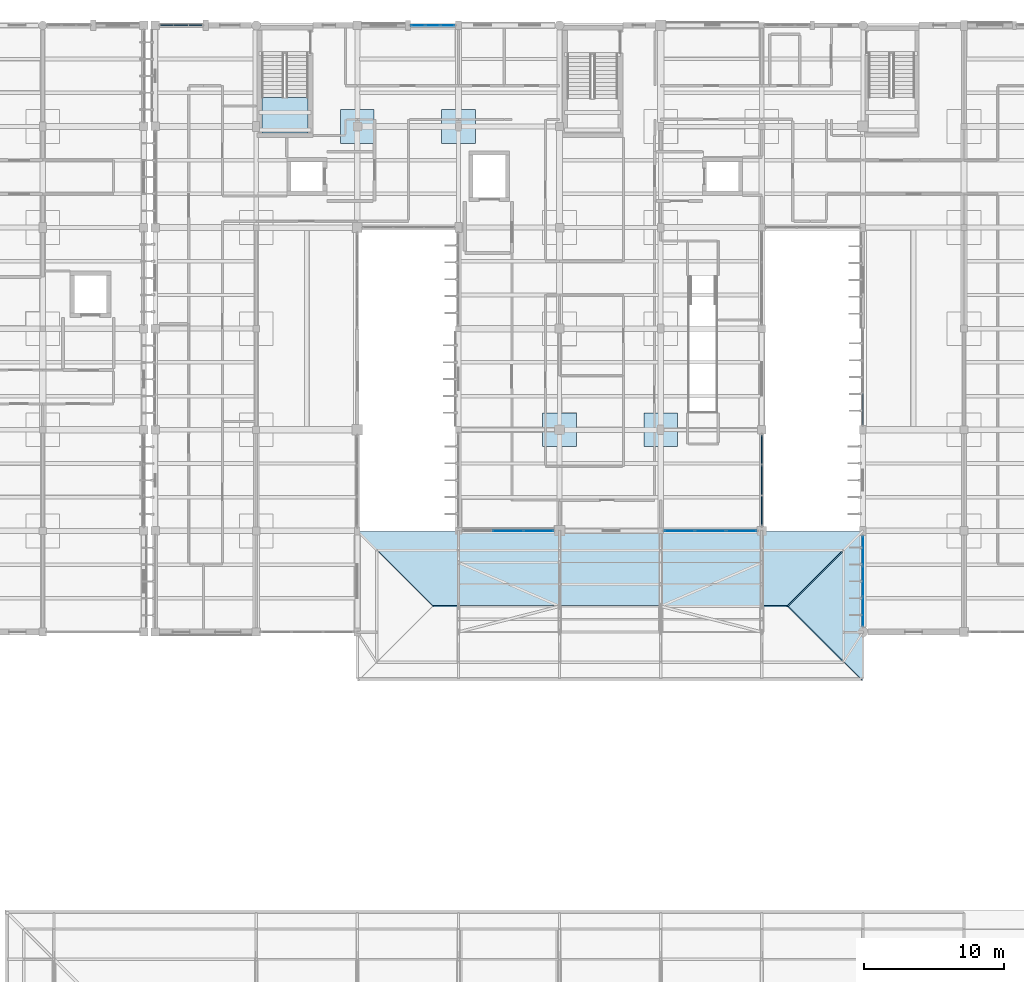
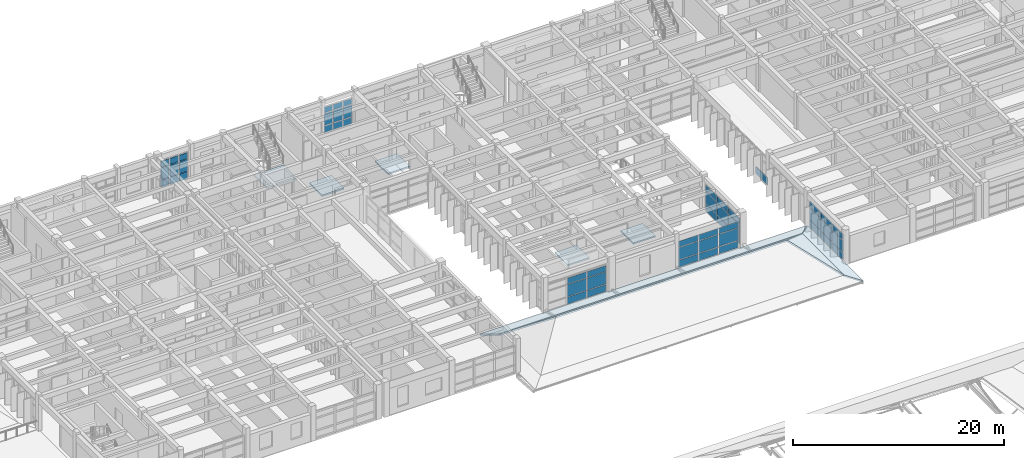
# One storey, part 52 of 100: 52 plates, 9 slabs, 9 elements without a shape of their own.
"""IFC4 building model written with IfcOpenShell, lengths in metres."""

from ifc_helpers import new_model, si_unit, direction, frame, origin, origin_2d, place, context, subcontext, project, spatial, polyline, rectangle, outline, extrude, material, layer, layer_set, type_object, element, aggregate, save


model = new_model("IFC4")

# Units and contexts
model_context = context("Model", 3, precision=1e-05, world=origin(), true_north=direction((0.0, 1.0)))
body_context = subcontext(model_context, "Body", "Model", "MODEL_VIEW")
ifc_project = project(units=[si_unit("LENGTHUNIT", "METRE"), si_unit("AREAUNIT", "SQUARE_METRE"), si_unit("VOLUMEUNIT", "CUBIC_METRE"), si_unit("PLANEANGLEUNIT", "RADIAN"), si_unit("MASSUNIT", "GRAM", prefix="KILO")], contexts=[model_context])

# Site, building, storey
site_placement = place(None, origin())
site = spatial("IfcSite", under=ifc_project, at=site_placement, CompositionType="ELEMENT")
building_placement = place(site_placement, origin())
building = spatial("IfcBuilding", under=site, at=building_placement, Name="Steenspoor Specialist Clinic", CompositionType="ELEMENT")
storey_placement = place(building_placement, frame((0.0, 0.0, 9.0)))
storey = spatial("IfcBuildingStorey", under=building, at=storey_placement, Name="L02", CompositionType="ELEMENT", Elevation=9.0)

# Curtain wall, plates
ifc_material_1 = material(Name="Thermally broken aluminium and low-emissivity glass", Category="aluminium")
curtain_wall_type_1 = type_object("IfcCurtainWallType", Name="CW-TYP-480X355", PredefinedType="USERDEFINED", material=ifc_material_1)
curtain_wall_1_placement = place(storey_placement, origin())
curtain_wall_1 = element("IfcCurtainWall", 1, at=curtain_wall_1_placement, inside=storey, type_object=curtain_wall_type_1, Name="Unitised Curtain Wall CW-V4-L02-084", ObjectType="UNITISED GLAZING", PredefinedType="USERDEFINED")
ifc_material_2 = material(Name="Double low-emissivity insulated glass", Category="glass")
ifc_layer_1 = layer(ifc_material_2, 0.035888671875)
ifc_layer_set_1 = layer_set([ifc_layer_1], Name="Double low-emissivity insulated glass")
plate_type_1 = type_object("IfcPlateType", Name="CW-PAN-GL36", PredefinedType="CURTAIN_PANEL", material=ifc_layer_set_1)
plate_1_placement = place(storey_placement, frame((71.124267578125, 108.35009765625, 0.08984375), z_axis=(0.0, 0.0, 1.0), x_axis=(1.0, 0.0, 0.0)))
plate_1 = element("IfcPlate", 2, at=plate_1_placement, type_object=plate_type_1, Name="CW-12 panel 1.1", PredefinedType="CURTAIN_PANEL", context=body_context, shape_type="SweptSolid", body=[
    extrude(rectangle(XDim=0.9482421875, YDim=0.035888671875, at=origin_2d()), origin(), (0.0, 0.0, 1.0), 0.764892578125),
])
plate_2_placement = place(storey_placement, frame((71.124267578125, 108.35009765625, 0.94482421875), z_axis=(0.0, 0.0, 1.0), x_axis=(1.0, 0.0, 0.0)))
plate_2 = element("IfcPlate", 3, at=plate_2_placement, type_object=plate_type_1, Name="CW-12 panel 1.2", PredefinedType="CURTAIN_PANEL", context=body_context, shape_type="SweptSolid", body=[
    extrude(rectangle(XDim=0.9482421875, YDim=0.035888671875, at=origin_2d()), origin(), (0.0, 0.0, 1.0), 1.360107421875),
])
plate_3_placement = place(storey_placement, frame((71.124267578125, 108.35009765625, 2.39501953125), z_axis=(0.0, 0.0, 1.0), x_axis=(1.0, 0.0, 0.0)))
plate_3 = element("IfcPlate", 4, at=plate_3_placement, type_object=plate_type_1, Name="CW-12 panel 1.3", PredefinedType="CURTAIN_PANEL", context=body_context, shape_type="SweptSolid", body=[
    extrude(rectangle(XDim=0.9482421875, YDim=0.035888671875, at=origin_2d()), origin(), (0.0, 0.0, 1.0), 0.64501953125),
])
plate_4_placement = place(storey_placement, frame((72.172607421875, 108.35009765625, 0.08984375), z_axis=(0.0, 0.0, 1.0), x_axis=(1.0, 0.0, 0.0)))
plate_4 = element("IfcPlate", 5, at=plate_4_placement, type_object=plate_type_1, Name="CW-12 panel 2.1", PredefinedType="CURTAIN_PANEL", context=body_context, shape_type="SweptSolid", body=[
    extrude(rectangle(XDim=0.98828125, YDim=0.035888671875, at=origin_2d()), origin(), (0.0, 0.0, 1.0), 0.764892578125),
])
plate_5_placement = place(storey_placement, frame((72.172607421875, 108.35009765625, 0.94482421875), z_axis=(0.0, 0.0, 1.0), x_axis=(1.0, 0.0, 0.0)))
plate_5 = element("IfcPlate", 6, at=plate_5_placement, type_object=plate_type_1, Name="CW-12 panel 2.2", PredefinedType="CURTAIN_PANEL", context=body_context, shape_type="SweptSolid", body=[
    extrude(rectangle(XDim=0.98828125, YDim=0.035888671875, at=origin_2d()), origin(), (0.0, 0.0, 1.0), 1.360107421875),
])
plate_6_placement = place(storey_placement, frame((72.172607421875, 108.35009765625, 2.39501953125), z_axis=(0.0, 0.0, 1.0), x_axis=(1.0, 0.0, 0.0)))
plate_6 = element("IfcPlate", 7, at=plate_6_placement, type_object=plate_type_1, Name="CW-12 panel 2.3", PredefinedType="CURTAIN_PANEL", context=body_context, shape_type="SweptSolid", body=[
    extrude(rectangle(XDim=0.98828125, YDim=0.035888671875, at=origin_2d()), origin(), (0.0, 0.0, 1.0), 0.64501953125),
])
plate_7_placement = place(storey_placement, frame((73.220947265625, 108.35009765625, 0.08984375), z_axis=(0.0, 0.0, 1.0), x_axis=(1.0, 0.0, 0.0)))
plate_7 = element("IfcPlate", 8, at=plate_7_placement, type_object=plate_type_1, Name="CW-12 panel 3.1", PredefinedType="CURTAIN_PANEL", context=body_context, shape_type="SweptSolid", body=[
    extrude(rectangle(XDim=0.9482421875, YDim=0.035888671875, at=origin_2d()), origin(), (0.0, 0.0, 1.0), 0.764892578125),
])
plate_8_placement = place(storey_placement, frame((73.220947265625, 108.35009765625, 0.94482421875), z_axis=(0.0, 0.0, 1.0), x_axis=(1.0, 0.0, 0.0)))
plate_8 = element("IfcPlate", 9, at=plate_8_placement, type_object=plate_type_1, Name="CW-12 panel 3.2", PredefinedType="CURTAIN_PANEL", context=body_context, shape_type="SweptSolid", body=[
    extrude(rectangle(XDim=0.9482421875, YDim=0.035888671875, at=origin_2d()), origin(), (0.0, 0.0, 1.0), 1.360107421875),
])
plate_9_placement = place(storey_placement, frame((73.220947265625, 108.35009765625, 2.39501953125), z_axis=(0.0, 0.0, 1.0), x_axis=(1.0, 0.0, 0.0)))
plate_9 = element("IfcPlate", 10, at=plate_9_placement, type_object=plate_type_1, Name="CW-12 panel 3.3", PredefinedType="CURTAIN_PANEL", context=body_context, shape_type="SweptSolid", body=[
    extrude(rectangle(XDim=0.9482421875, YDim=0.035888671875, at=origin_2d()), origin(), (0.0, 0.0, 1.0), 0.64501953125),
])
aggregate(curtain_wall_1, [plate_1, plate_2, plate_3, plate_4, plate_5, plate_6, plate_7, plate_8, plate_9])

curtain_wall_type_2 = type_object("IfcCurtainWallType", Name="CW-STR-220X415", PredefinedType="USERDEFINED", material=ifc_material_1)
curtain_wall_2_placement = place(storey_placement, origin())
curtain_wall_2 = element("IfcCurtainWall", 11, at=curtain_wall_2_placement, inside=storey, type_object=curtain_wall_type_2, Name="Unitised Curtain Wall CW-V4-L02-096", ObjectType="UNITISED GLAZING", PredefinedType="USERDEFINED")
plate_10_placement = place(storey_placement, frame((94.142578125, 72.35009765625, 0.070068359375), z_axis=(0.0, 0.0, 1.0), x_axis=(-1.0, 0.0, 0.0)))
plate_10 = element("IfcPlate", 12, at=plate_10_placement, type_object=plate_type_1, Name="CW-24 panel 1.1", PredefinedType="CURTAIN_PANEL", context=body_context, shape_type="SweptSolid", body=[
    extrude(rectangle(XDim=2.10498046875, YDim=0.035888671875, at=origin_2d()), origin(), (0.0, 0.0, 1.0), 0.794921875),
])
plate_11_placement = place(storey_placement, frame((94.142578125, 72.35009765625, 0.93505859375), z_axis=(0.0, 0.0, 1.0), x_axis=(-1.0, 0.0, 0.0)))
plate_11 = element("IfcPlate", 13, at=plate_11_placement, type_object=plate_type_1, Name="CW-24 panel 1.2", PredefinedType="CURTAIN_PANEL", context=body_context, shape_type="SweptSolid", body=[
    extrude(rectangle(XDim=2.10498046875, YDim=0.035888671875, at=origin_2d()), origin(), (0.0, 0.0, 1.0), 1.3798828125),
])
plate_12_placement = place(storey_placement, frame((94.142578125, 72.35009765625, 2.384765625), z_axis=(0.0, 0.0, 1.0), x_axis=(-1.0, 0.0, 0.0)))
plate_12 = element("IfcPlate", 14, at=plate_12_placement, type_object=plate_type_1, Name="CW-24 panel 1.3", PredefinedType="CURTAIN_PANEL", context=body_context, shape_type="SweptSolid", body=[
    extrude(rectangle(XDim=2.10498046875, YDim=0.035888671875, at=origin_2d()), origin(), (0.0, 0.0, 1.0), 0.675048828125),
])
plate_13_placement = place(storey_placement, frame((91.9375, 72.35009765625, 0.070068359375), z_axis=(0.0, 0.0, 1.0), x_axis=(-1.0, 0.0, 0.0)))
plate_13 = element("IfcPlate", 15, at=plate_13_placement, type_object=plate_type_1, Name="CW-24 panel 2.1", PredefinedType="CURTAIN_PANEL", context=body_context, shape_type="SweptSolid", body=[
    extrude(rectangle(XDim=2.14501953125, YDim=0.035888671875, at=origin_2d()), origin(), (0.0, 0.0, 1.0), 0.794921875),
])
plate_14_placement = place(storey_placement, frame((91.9375, 72.35009765625, 0.93505859375), z_axis=(0.0, 0.0, 1.0), x_axis=(-1.0, 0.0, 0.0)))
plate_14 = element("IfcPlate", 16, at=plate_14_placement, type_object=plate_type_1, Name="CW-24 panel 2.2", PredefinedType="CURTAIN_PANEL", context=body_context, shape_type="SweptSolid", body=[
    extrude(rectangle(XDim=2.14501953125, YDim=0.035888671875, at=origin_2d()), origin(), (0.0, 0.0, 1.0), 1.3798828125),
])
plate_15_placement = place(storey_placement, frame((91.9375, 72.35009765625, 2.384765625), z_axis=(0.0, 0.0, 1.0), x_axis=(-1.0, 0.0, 0.0)))
plate_15 = element("IfcPlate", 17, at=plate_15_placement, type_object=plate_type_1, Name="CW-24 panel 2.3", PredefinedType="CURTAIN_PANEL", context=body_context, shape_type="SweptSolid", body=[
    extrude(rectangle(XDim=2.14501953125, YDim=0.035888671875, at=origin_2d()), origin(), (0.0, 0.0, 1.0), 0.675048828125),
])
plate_16_placement = place(storey_placement, frame((89.732421875, 72.35009765625, 0.070068359375), z_axis=(0.0, 0.0, 1.0), x_axis=(-1.0, 0.0, 0.0)))
plate_16 = element("IfcPlate", 18, at=plate_16_placement, type_object=plate_type_1, Name="CW-24 panel 3.1", PredefinedType="CURTAIN_PANEL", context=body_context, shape_type="SweptSolid", body=[
    extrude(rectangle(XDim=2.10498046875, YDim=0.035888671875, at=origin_2d()), origin(), (0.0, 0.0, 1.0), 0.794921875),
])
plate_17_placement = place(storey_placement, frame((89.732421875, 72.35009765625, 0.93505859375), z_axis=(0.0, 0.0, 1.0), x_axis=(-1.0, 0.0, 0.0)))
plate_17 = element("IfcPlate", 19, at=plate_17_placement, type_object=plate_type_1, Name="CW-24 panel 3.2", PredefinedType="CURTAIN_PANEL", context=body_context, shape_type="SweptSolid", body=[
    extrude(rectangle(XDim=2.10498046875, YDim=0.035888671875, at=origin_2d()), origin(), (0.0, 0.0, 1.0), 1.3798828125),
])
plate_18_placement = place(storey_placement, frame((89.732421875, 72.35009765625, 2.384765625), z_axis=(0.0, 0.0, 1.0), x_axis=(-1.0, 0.0, 0.0)))
plate_18 = element("IfcPlate", 20, at=plate_18_placement, type_object=plate_type_1, Name="CW-24 panel 3.3", PredefinedType="CURTAIN_PANEL", context=body_context, shape_type="SweptSolid", body=[
    extrude(rectangle(XDim=2.10498046875, YDim=0.035888671875, at=origin_2d()), origin(), (0.0, 0.0, 1.0), 0.675048828125),
])
aggregate(curtain_wall_2, [plate_10, plate_11, plate_12, plate_13, plate_14, plate_15, plate_16, plate_17, plate_18])

curtain_wall_type_3 = type_object("IfcCurtainWallType", Name="CW-SCR-360X320", PredefinedType="USERDEFINED", material=ifc_material_1)
curtain_wall_3_placement = place(storey_placement, origin())
curtain_wall_3 = element("IfcCurtainWall", 21, at=curtain_wall_3_placement, inside=storey, type_object=curtain_wall_type_3, Name="Unitised Curtain Wall CW-V4-L02-091", ObjectType="UNITISED GLAZING", PredefinedType="USERDEFINED")
ifc_material_3 = material(Name="Triple acoustic laminated low-emissivity glass", Category="glass")
ifc_layer_2 = layer(ifc_material_3, 0.048095703125)
ifc_layer_set_2 = layer_set([ifc_layer_2], Name="Triple acoustic laminated low-emissivity glass")
plate_type_2 = type_object("IfcPlateType", Name="CW-PAN-GL48", PredefinedType="CURTAIN_PANEL", material=ifc_layer_set_2)
plate_19_placement = place(storey_placement, frame((102.800048828125, 66.607421875, 0.070068359375), z_axis=(0.0, 0.0, 1.0), x_axis=(0.0, 1.0, 0.0)))
plate_19 = element("IfcPlate", 22, at=plate_19_placement, type_object=plate_type_2, Name="CW-19 panel 1.1", PredefinedType="CURTAIN_PANEL", context=body_context, shape_type="SweptSolid", body=[
    extrude(rectangle(XDim=2.054931640625, YDim=0.048095703125, at=origin_2d()), origin(), (0.0, 0.0, 1.0), 0.794921875),
])
plate_20_placement = place(storey_placement, frame((102.800048828125, 66.607421875, 0.93505859375), z_axis=(0.0, 0.0, 1.0), x_axis=(0.0, 1.0, 0.0)))
plate_20 = element("IfcPlate", 23, at=plate_20_placement, type_object=plate_type_2, Name="CW-19 panel 1.2", PredefinedType="CURTAIN_PANEL", context=body_context, shape_type="SweptSolid", body=[
    extrude(rectangle(XDim=2.054931640625, YDim=0.048095703125, at=origin_2d()), origin(), (0.0, 0.0, 1.0), 1.3798828125),
])
plate_21_placement = place(storey_placement, frame((102.800048828125, 66.607421875, 2.384765625), z_axis=(0.0, 0.0, 1.0), x_axis=(0.0, 1.0, 0.0)))
plate_21 = element("IfcPlate", 24, at=plate_21_placement, type_object=plate_type_2, Name="CW-19 panel 1.3", PredefinedType="CURTAIN_PANEL", context=body_context, shape_type="SweptSolid", body=[
    extrude(rectangle(XDim=2.054931640625, YDim=0.048095703125, at=origin_2d()), origin(), (0.0, 0.0, 1.0), 0.675048828125),
])
plate_22_placement = place(storey_placement, frame((102.800048828125, 68.762451171875, 0.070068359375), z_axis=(0.0, 0.0, 1.0), x_axis=(0.0, 1.0, 0.0)))
plate_22 = element("IfcPlate", 25, at=plate_22_placement, type_object=plate_type_2, Name="CW-19 panel 2.1", PredefinedType="CURTAIN_PANEL", context=body_context, shape_type="SweptSolid", body=[
    extrude(rectangle(XDim=2.094970703125, YDim=0.048095703125, at=origin_2d()), origin(), (0.0, 0.0, 1.0), 0.794921875),
])
plate_23_placement = place(storey_placement, frame((102.800048828125, 68.762451171875, 0.93505859375), z_axis=(0.0, 0.0, 1.0), x_axis=(0.0, 1.0, 0.0)))
plate_23 = element("IfcPlate", 26, at=plate_23_placement, type_object=plate_type_2, Name="CW-19 panel 2.2", PredefinedType="CURTAIN_PANEL", context=body_context, shape_type="SweptSolid", body=[
    extrude(rectangle(XDim=2.094970703125, YDim=0.048095703125, at=origin_2d()), origin(), (0.0, 0.0, 1.0), 1.3798828125),
])
plate_24_placement = place(storey_placement, frame((102.800048828125, 68.762451171875, 2.384765625), z_axis=(0.0, 0.0, 1.0), x_axis=(0.0, 1.0, 0.0)))
plate_24 = element("IfcPlate", 27, at=plate_24_placement, type_object=plate_type_2, Name="CW-19 panel 2.3", PredefinedType="CURTAIN_PANEL", context=body_context, shape_type="SweptSolid", body=[
    extrude(rectangle(XDim=2.094970703125, YDim=0.048095703125, at=origin_2d()), origin(), (0.0, 0.0, 1.0), 0.675048828125),
])
plate_25_placement = place(storey_placement, frame((102.800048828125, 70.91748046875, 0.070068359375), z_axis=(0.0, 0.0, 1.0), x_axis=(0.0, 1.0, 0.0)))
plate_25 = element("IfcPlate", 28, at=plate_25_placement, type_object=plate_type_2, Name="CW-19 panel 3.1", PredefinedType="CURTAIN_PANEL", context=body_context, shape_type="SweptSolid", body=[
    extrude(rectangle(XDim=2.054931640625, YDim=0.048095703125, at=origin_2d()), origin(), (0.0, 0.0, 1.0), 0.794921875),
])
plate_26_placement = place(storey_placement, frame((102.800048828125, 70.91748046875, 0.93505859375), z_axis=(0.0, 0.0, 1.0), x_axis=(0.0, 1.0, 0.0)))
plate_26 = element("IfcPlate", 29, at=plate_26_placement, type_object=plate_type_2, Name="CW-19 panel 3.2", PredefinedType="CURTAIN_PANEL", context=body_context, shape_type="SweptSolid", body=[
    extrude(rectangle(XDim=2.054931640625, YDim=0.048095703125, at=origin_2d()), origin(), (0.0, 0.0, 1.0), 1.3798828125),
])
plate_27_placement = place(storey_placement, frame((102.800048828125, 70.91748046875, 2.384765625), z_axis=(0.0, 0.0, 1.0), x_axis=(0.0, 1.0, 0.0)))
plate_27 = element("IfcPlate", 30, at=plate_27_placement, type_object=plate_type_2, Name="CW-19 panel 3.3", PredefinedType="CURTAIN_PANEL", context=body_context, shape_type="SweptSolid", body=[
    extrude(rectangle(XDim=2.054931640625, YDim=0.048095703125, at=origin_2d()), origin(), (0.0, 0.0, 1.0), 0.675048828125),
])
aggregate(curtain_wall_3, [plate_19, plate_20, plate_21, plate_22, plate_23, plate_24, plate_25, plate_26, plate_27])

curtain_wall_type_4 = type_object("IfcCurtainWallType", Name="CW-HALL-660X820", PredefinedType="USERDEFINED", material=ifc_material_1)
curtain_wall_4_placement = place(storey_placement, origin())
curtain_wall_4 = element("IfcCurtainWall", 31, at=curtain_wall_4_placement, inside=storey, type_object=curtain_wall_type_4, Name="Unitised Curtain Wall CW-V4-L02-097", ObjectType="UNITISED GLAZING", PredefinedType="USERDEFINED")
plate_28_placement = place(storey_placement, frame((79.709228515625, 72.35009765625, 0.06494140625), z_axis=(0.0, 0.0, 1.0), x_axis=(-1.0, 0.0, 0.0)))
plate_28 = element("IfcPlate", 32, at=plate_28_placement, type_object=plate_type_2, Name="CW-01 panel 1.1", PredefinedType="CURTAIN_PANEL", context=body_context, shape_type="SweptSolid", body=[
    extrude(rectangle(XDim=2.07177734375, YDim=0.048095703125, at=origin_2d()), origin(), (0.0, 0.0, 1.0), 0.802490234375),
])
plate_29_placement = place(storey_placement, frame((79.709228515625, 72.35009765625, 0.9326171875), z_axis=(0.0, 0.0, 1.0), x_axis=(-1.0, 0.0, 0.0)))
plate_29 = element("IfcPlate", 33, at=plate_29_placement, type_object=plate_type_2, Name="CW-01 panel 1.2", PredefinedType="CURTAIN_PANEL", context=body_context, shape_type="SweptSolid", body=[
    extrude(rectangle(XDim=2.07177734375, YDim=0.048095703125, at=origin_2d()), origin(), (0.0, 0.0, 1.0), 1.385009765625),
])
plate_30_placement = place(storey_placement, frame((79.709228515625, 72.35009765625, 2.38232421875), z_axis=(0.0, 0.0, 1.0), x_axis=(-1.0, 0.0, 0.0)))
plate_30 = element("IfcPlate", 34, at=plate_30_placement, type_object=plate_type_2, Name="CW-01 panel 1.3", PredefinedType="CURTAIN_PANEL", context=body_context, shape_type="SweptSolid", body=[
    extrude(rectangle(XDim=2.07177734375, YDim=0.048095703125, at=origin_2d()), origin(), (0.0, 0.0, 1.0), 0.6826171875),
])
plate_31_placement = place(storey_placement, frame((77.53759765625, 72.35009765625, 0.06494140625), z_axis=(0.0, 0.0, 1.0), x_axis=(-1.0, 0.0, 0.0)))
plate_31 = element("IfcPlate", 35, at=plate_31_placement, type_object=plate_type_2, Name="CW-01 panel 2.1", PredefinedType="CURTAIN_PANEL", context=body_context, shape_type="SweptSolid", body=[
    extrude(rectangle(XDim=2.111572265625, YDim=0.048095703125, at=origin_2d()), origin(), (0.0, 0.0, 1.0), 0.802490234375),
])
plate_32_placement = place(storey_placement, frame((77.53759765625, 72.35009765625, 0.9326171875), z_axis=(0.0, 0.0, 1.0), x_axis=(-1.0, 0.0, 0.0)))
plate_32 = element("IfcPlate", 36, at=plate_32_placement, type_object=plate_type_2, Name="CW-01 panel 2.2", PredefinedType="CURTAIN_PANEL", context=body_context, shape_type="SweptSolid", body=[
    extrude(rectangle(XDim=2.111572265625, YDim=0.048095703125, at=origin_2d()), origin(), (0.0, 0.0, 1.0), 1.385009765625),
])
plate_33_placement = place(storey_placement, frame((77.53759765625, 72.35009765625, 2.38232421875), z_axis=(0.0, 0.0, 1.0), x_axis=(-1.0, 0.0, 0.0)))
plate_33 = element("IfcPlate", 37, at=plate_33_placement, type_object=plate_type_2, Name="CW-01 panel 2.3", PredefinedType="CURTAIN_PANEL", context=body_context, shape_type="SweptSolid", body=[
    extrude(rectangle(XDim=2.111572265625, YDim=0.048095703125, at=origin_2d()), origin(), (0.0, 0.0, 1.0), 0.6826171875),
])
aggregate(curtain_wall_4, [plate_28, plate_29, plate_30, plate_31, plate_32, plate_33])

curtain_wall_type_5 = type_object("IfcCurtainWallType", Name="CW-TYP-540X355", PredefinedType="USERDEFINED", material=ifc_material_1)
curtain_wall_5_placement = place(storey_placement, origin())
curtain_wall_5 = element("IfcCurtainWall", 38, at=curtain_wall_5_placement, inside=storey, type_object=curtain_wall_type_5, Name="Unitised Curtain Wall CW-V4-L02-083", ObjectType="UNITISED GLAZING", PredefinedType="USERDEFINED")
ifc_material_4 = material(Name="Insulated glazed ceramic spandrel panel", Category="glass")
ifc_layer_3 = layer(ifc_material_4, 0.074951171875)
ifc_layer_set_3 = layer_set([ifc_layer_3], Name="Insulated glazed ceramic spandrel panel")
plate_type_3 = type_object("IfcPlateType", Name="CW-PAN-SP75", PredefinedType="CURTAIN_PANEL", material=ifc_layer_set_3)
plate_34_placement = place(storey_placement, frame((53.24072265625, 108.35009765625, 0.06005859375), z_axis=(0.0, 0.0, 1.0), x_axis=(1.0, 0.0, 0.0)))
plate_34 = element("IfcPlate", 39, at=plate_34_placement, type_object=plate_type_3, Name="CW-11 panel 1.1", PredefinedType="CURTAIN_PANEL", context=body_context, shape_type="SweptSolid", body=[
    extrude(rectangle(XDim=0.901611328125, YDim=0.074951171875, at=origin_2d()), origin(), (0.0, 0.0, 1.0), 0.81005859375),
])
plate_35_placement = place(storey_placement, frame((53.24072265625, 108.35009765625, 0.93017578125), z_axis=(0.0, 0.0, 1.0), x_axis=(1.0, 0.0, 0.0)))
plate_35 = element("IfcPlate", 40, at=plate_35_placement, type_object=plate_type_3, Name="CW-11 panel 1.2", PredefinedType="CURTAIN_PANEL", context=body_context, shape_type="SweptSolid", body=[
    extrude(rectangle(XDim=0.901611328125, YDim=0.074951171875, at=origin_2d()), origin(), (0.0, 0.0, 1.0), 1.389892578125),
])
plate_36_placement = place(storey_placement, frame((53.24072265625, 108.35009765625, 2.380126953125), z_axis=(0.0, 0.0, 1.0), x_axis=(1.0, 0.0, 0.0)))
plate_36 = element("IfcPlate", 41, at=plate_36_placement, type_object=plate_type_3, Name="CW-11 panel 1.3", PredefinedType="CURTAIN_PANEL", context=body_context, shape_type="SweptSolid", body=[
    extrude(rectangle(XDim=0.901611328125, YDim=0.074951171875, at=origin_2d()), origin(), (0.0, 0.0, 1.0), 0.68994140625),
])
plate_37_placement = place(storey_placement, frame((54.2548828125, 108.35009765625, 0.06005859375), z_axis=(0.0, 0.0, 1.0), x_axis=(1.0, 0.0, 0.0)))
plate_37 = element("IfcPlate", 42, at=plate_37_placement, type_object=plate_type_3, Name="CW-11 panel 2.1", PredefinedType="CURTAIN_PANEL", context=body_context, shape_type="SweptSolid", body=[
    extrude(rectangle(XDim=0.94677734375, YDim=0.074951171875, at=origin_2d()), origin(), (0.0, 0.0, 1.0), 0.81005859375),
])
plate_38_placement = place(storey_placement, frame((54.2548828125, 108.35009765625, 0.93017578125), z_axis=(0.0, 0.0, 1.0), x_axis=(1.0, 0.0, 0.0)))
plate_38 = element("IfcPlate", 43, at=plate_38_placement, type_object=plate_type_3, Name="CW-11 panel 2.2", PredefinedType="CURTAIN_PANEL", context=body_context, shape_type="SweptSolid", body=[
    extrude(rectangle(XDim=0.94677734375, YDim=0.074951171875, at=origin_2d()), origin(), (0.0, 0.0, 1.0), 1.389892578125),
])
plate_39_placement = place(storey_placement, frame((54.2548828125, 108.35009765625, 2.380126953125), z_axis=(0.0, 0.0, 1.0), x_axis=(1.0, 0.0, 0.0)))
plate_39 = element("IfcPlate", 44, at=plate_39_placement, type_object=plate_type_3, Name="CW-11 panel 2.3", PredefinedType="CURTAIN_PANEL", context=body_context, shape_type="SweptSolid", body=[
    extrude(rectangle(XDim=0.94677734375, YDim=0.074951171875, at=origin_2d()), origin(), (0.0, 0.0, 1.0), 0.68994140625),
])
plate_40_placement = place(storey_placement, frame((55.269287109375, 108.35009765625, 0.06005859375), z_axis=(0.0, 0.0, 1.0), x_axis=(1.0, 0.0, 0.0)))
plate_40 = element("IfcPlate", 45, at=plate_40_placement, type_object=plate_type_3, Name="CW-11 panel 3.1", PredefinedType="CURTAIN_PANEL", context=body_context, shape_type="SweptSolid", body=[
    extrude(rectangle(XDim=0.901611328125, YDim=0.074951171875, at=origin_2d()), origin(), (0.0, 0.0, 1.0), 0.81005859375),
])
plate_41_placement = place(storey_placement, frame((55.269287109375, 108.35009765625, 0.93017578125), z_axis=(0.0, 0.0, 1.0), x_axis=(1.0, 0.0, 0.0)))
plate_41 = element("IfcPlate", 46, at=plate_41_placement, type_object=plate_type_3, Name="CW-11 panel 3.2", PredefinedType="CURTAIN_PANEL", context=body_context, shape_type="SweptSolid", body=[
    extrude(rectangle(XDim=0.901611328125, YDim=0.074951171875, at=origin_2d()), origin(), (0.0, 0.0, 1.0), 1.389892578125),
])
plate_42_placement = place(storey_placement, frame((55.269287109375, 108.35009765625, 2.380126953125), z_axis=(0.0, 0.0, 1.0), x_axis=(1.0, 0.0, 0.0)))
plate_42 = element("IfcPlate", 47, at=plate_42_placement, type_object=plate_type_3, Name="CW-11 panel 3.3", PredefinedType="CURTAIN_PANEL", context=body_context, shape_type="SweptSolid", body=[
    extrude(rectangle(XDim=0.901611328125, YDim=0.074951171875, at=origin_2d()), origin(), (0.0, 0.0, 1.0), 0.68994140625),
])
aggregate(curtain_wall_5, [plate_34, plate_35, plate_36, plate_37, plate_38, plate_39, plate_40, plate_41, plate_42])

# Curtain wall, plate
curtain_wall_type_6 = type_object("IfcCurtainWallType", Name="CW-WLK-640X340", PredefinedType="USERDEFINED", material=ifc_material_1)
curtain_wall_6_placement = place(storey_placement, origin())
curtain_wall_6 = element("IfcCurtainWall", 48, at=curtain_wall_6_placement, inside=storey, type_object=curtain_wall_type_6, Name="Unitised Curtain Wall CW-V4-L02-092", ObjectType="UNITISED GLAZING", PredefinedType="USERDEFINED")
plate_43_placement = place(storey_placement, frame((102.800048828125, 81.01953125, 0.06494140625), z_axis=(0.0, 0.0, 1.0), x_axis=(0.0, 1.0, 0.0)))
plate_43 = element("IfcPlate", 49, at=plate_43_placement, type_object=plate_type_3, Name="CW-20 panel 1.1", PredefinedType="CURTAIN_PANEL", context=body_context, shape_type="SweptSolid", body=[
    extrude(rectangle(XDim=2.19921875, YDim=0.074951171875, at=origin_2d()), origin(), (0.0, 0.0, 1.0), 0.802490234375),
])
aggregate(curtain_wall_6, [plate_43])

# Curtain wall, plates
curtain_wall_type_7 = type_object("IfcCurtainWallType", Name="CW-STR-220X355", PredefinedType="USERDEFINED", material=ifc_material_1)
curtain_wall_7_placement = place(storey_placement, origin())
curtain_wall_7 = element("IfcCurtainWall", 50, at=curtain_wall_7_placement, inside=storey, type_object=curtain_wall_type_7, Name="Unitised Curtain Wall CW-V4-L02-095", ObjectType="UNITISED GLAZING", PredefinedType="USERDEFINED")
plate_44_placement = place(storey_placement, frame((95.60009765625, 78.131591796875, 0.080078125), z_axis=(0.0, 0.0, 1.0), x_axis=(0.0, -1.0, 0.0)))
plate_44 = element("IfcPlate", 51, at=plate_44_placement, type_object=plate_type_3, Name="CW-23 panel 1.1", PredefinedType="CURTAIN_PANEL", context=body_context, shape_type="SweptSolid", body=[
    extrude(rectangle(XDim=2.056640625, YDim=0.074951171875, at=origin_2d()), origin(), (0.0, 0.0, 1.0), 0.780029296875),
])
plate_45_placement = place(storey_placement, frame((95.60009765625, 78.131591796875, 0.93994140625), z_axis=(0.0, 0.0, 1.0), x_axis=(0.0, -1.0, 0.0)))
plate_45 = element("IfcPlate", 52, at=plate_45_placement, type_object=plate_type_3, Name="CW-23 panel 1.2", PredefinedType="CURTAIN_PANEL", context=body_context, shape_type="SweptSolid", body=[
    extrude(rectangle(XDim=2.056640625, YDim=0.074951171875, at=origin_2d()), origin(), (0.0, 0.0, 1.0), 1.3701171875),
])
plate_46_placement = place(storey_placement, frame((95.60009765625, 78.131591796875, 2.39013671875), z_axis=(0.0, 0.0, 1.0), x_axis=(0.0, -1.0, 0.0)))
plate_46 = element("IfcPlate", 53, at=plate_46_placement, type_object=plate_type_3, Name="CW-23 panel 1.3", PredefinedType="CURTAIN_PANEL", context=body_context, shape_type="SweptSolid", body=[
    extrude(rectangle(XDim=2.056640625, YDim=0.074951171875, at=origin_2d()), origin(), (0.0, 0.0, 1.0), 0.659912109375),
])
plate_47_placement = place(storey_placement, frame((95.60009765625, 75.96240234375, 0.080078125), z_axis=(0.0, 0.0, 1.0), x_axis=(0.0, -1.0, 0.0)))
plate_47 = element("IfcPlate", 54, at=plate_47_placement, type_object=plate_type_3, Name="CW-23 panel 2.1", PredefinedType="CURTAIN_PANEL", context=body_context, shape_type="SweptSolid", body=[
    extrude(rectangle(XDim=2.1015625, YDim=0.074951171875, at=origin_2d()), origin(), (0.0, 0.0, 1.0), 0.780029296875),
])
plate_48_placement = place(storey_placement, frame((95.60009765625, 75.96240234375, 0.93994140625), z_axis=(0.0, 0.0, 1.0), x_axis=(0.0, -1.0, 0.0)))
plate_48 = element("IfcPlate", 55, at=plate_48_placement, type_object=plate_type_3, Name="CW-23 panel 2.2", PredefinedType="CURTAIN_PANEL", context=body_context, shape_type="SweptSolid", body=[
    extrude(rectangle(XDim=2.1015625, YDim=0.074951171875, at=origin_2d()), origin(), (0.0, 0.0, 1.0), 1.3701171875),
])
plate_49_placement = place(storey_placement, frame((95.60009765625, 75.96240234375, 2.39013671875), z_axis=(0.0, 0.0, 1.0), x_axis=(0.0, -1.0, 0.0)))
plate_49 = element("IfcPlate", 56, at=plate_49_placement, type_object=plate_type_3, Name="CW-23 panel 2.3", PredefinedType="CURTAIN_PANEL", context=body_context, shape_type="SweptSolid", body=[
    extrude(rectangle(XDim=2.1015625, YDim=0.074951171875, at=origin_2d()), origin(), (0.0, 0.0, 1.0), 0.659912109375),
])
plate_50_placement = place(storey_placement, frame((95.60009765625, 73.793212890625, 0.080078125), z_axis=(0.0, 0.0, 1.0), x_axis=(0.0, -1.0, 0.0)))
plate_50 = element("IfcPlate", 57, at=plate_50_placement, type_object=plate_type_3, Name="CW-23 panel 3.1", PredefinedType="CURTAIN_PANEL", context=body_context, shape_type="SweptSolid", body=[
    extrude(rectangle(XDim=2.056640625, YDim=0.074951171875, at=origin_2d()), origin(), (0.0, 0.0, 1.0), 0.780029296875),
])
plate_51_placement = place(storey_placement, frame((95.60009765625, 73.793212890625, 0.93994140625), z_axis=(0.0, 0.0, 1.0), x_axis=(0.0, -1.0, 0.0)))
plate_51 = element("IfcPlate", 58, at=plate_51_placement, type_object=plate_type_3, Name="CW-23 panel 3.2", PredefinedType="CURTAIN_PANEL", context=body_context, shape_type="SweptSolid", body=[
    extrude(rectangle(XDim=2.056640625, YDim=0.074951171875, at=origin_2d()), origin(), (0.0, 0.0, 1.0), 1.3701171875),
])
plate_52_placement = place(storey_placement, frame((95.60009765625, 73.793212890625, 2.39013671875), z_axis=(0.0, 0.0, 1.0), x_axis=(0.0, -1.0, 0.0)))
plate_52 = element("IfcPlate", 59, at=plate_52_placement, type_object=plate_type_3, Name="CW-23 panel 3.3", PredefinedType="CURTAIN_PANEL", context=body_context, shape_type="SweptSolid", body=[
    extrude(rectangle(XDim=2.056640625, YDim=0.074951171875, at=origin_2d()), origin(), (0.0, 0.0, 1.0), 0.659912109375),
])
aggregate(curtain_wall_7, [plate_44, plate_45, plate_46, plate_47, plate_48, plate_49, plate_50, plate_51, plate_52])

# Slabs
ifc_material_5 = material(Name="Concrete C35/45", Category="concrete")
ifc_layer_4 = layer(ifc_material_5, 0.169921875)
ifc_layer_set_4 = layer_set([ifc_layer_4], Name="Concrete C35/45")
slab_type_1 = type_object("IfcSlabType", Name="SL-DROP-170", PredefinedType="USERDEFINED", material=ifc_layer_set_4)
slab_1_placement = place(storey_placement, frame((0.0, 0.0, -0.419921875)))
element("IfcSlab", 60, at=slab_1_placement, inside=storey, type_object=slab_type_1, Name="Column Drop Panel DROP-V4-L02-040", ObjectType="DROP PANEL", PredefinedType="USERDEFINED", context=body_context, shape_type="SweptSolid", body=[
    extrude(outline(polyline([(68.0, 99.949951171875), (68.0, 102.35009765625), (65.60009765625, 102.35009765625), (65.60009765625, 99.949951171875), (68.0, 99.949951171875)])), origin(), (0.0, 0.0, 1.0), 0.169921875),
])
slab_2_placement = place(storey_placement, frame((0.0, 0.0, -0.419921875)))
element("IfcSlab", 61, at=slab_2_placement, inside=storey, type_object=slab_type_1, Name="Column Drop Panel DROP-V4-L02-041", ObjectType="DROP PANEL", PredefinedType="USERDEFINED", context=body_context, shape_type="SweptSolid", body=[
    extrude(outline(polyline([(75.199951171875, 99.949951171875), (75.199951171875, 102.35009765625), (72.800048828125, 102.35009765625), (72.800048828125, 99.949951171875), (75.199951171875, 99.949951171875)])), origin(), (0.0, 0.0, 1.0), 0.169921875),
])
slab_3_placement = place(storey_placement, frame((0.0, 0.0, -0.419921875)))
element("IfcSlab", 62, at=slab_3_placement, inside=storey, type_object=slab_type_1, Name="Column Drop Panel DROP-V4-L02-042", ObjectType="DROP PANEL", PredefinedType="USERDEFINED", context=body_context, shape_type="SweptSolid", body=[
    extrude(outline(polyline([(82.39990234375, 78.35009765625), (82.39990234375, 80.75), (80.0, 80.75), (80.0, 78.35009765625), (82.39990234375, 78.35009765625)])), origin(), (0.0, 0.0, 1.0), 0.169921875),
])
slab_4_placement = place(storey_placement, frame((0.0, 0.0, -0.419921875)))
element("IfcSlab", 63, at=slab_4_placement, inside=storey, type_object=slab_type_1, Name="Column Drop Panel DROP-V4-L02-045", ObjectType="DROP PANEL", PredefinedType="USERDEFINED", context=body_context, shape_type="SweptSolid", body=[
    extrude(outline(polyline([(89.60009765625, 78.35009765625), (89.60009765625, 80.75), (87.199951171875, 80.75), (87.199951171875, 78.35009765625), (89.60009765625, 78.35009765625)])), origin(), (0.0, 0.0, 1.0), 0.169921875),
])

# Stair, slab
stair_type = type_object("IfcStairType", Name="ST-CORE-TYP", PredefinedType="HALF_TURN_STAIR", material=ifc_material_5)
stair_placement = place(storey_placement, origin())
stair = element("IfcStair", 64, at=stair_placement, inside=storey, type_object=stair_type, Name="L02 Enclosed Exit Stair ST-V4A", PredefinedType="HALF_TURN_STAIR")
ifc_layer_5 = layer(ifc_material_5, 0.199951171875)
ifc_layer_set_5 = layer_set([ifc_layer_5], Name="Concrete C35/45")
slab_type_2 = type_object("IfcSlabType", Name="SL-LAND-200", PredefinedType="LANDING", material=ifc_layer_set_5)
slab_5_placement = place(storey_placement, frame((0.0, 0.0, 1.89990234375)))
slab_5 = element("IfcSlab", 65, at=slab_5_placement, type_object=slab_type_2, Name="ST-V4A landing 1", PredefinedType="LANDING", context=body_context, shape_type="SweptSolid", body=[
    extrude(outline(polyline([(60.0, 103.215087890625), (60.0, 100.699951171875), (63.300048828125, 100.699951171875), (63.300048828125, 103.215087890625), (60.0, 103.215087890625)])), origin(), (0.0, 0.0, 1.0), 0.2001953125),
])
aggregate(stair, [slab_5])

# Roof, slabs
ifc_material_6 = material(Name="Extruded terracotta clay roof tile", Category="masonry")
roof_type = type_object("IfcRoofType", Name="ROOF-HIP-TIER", PredefinedType="HIP_ROOF", material=ifc_material_6)
roof_placement = place(storey_placement, origin())
roof = element("IfcRoof", 66, at=roof_placement, inside=storey, type_object=roof_type, Name="Tiered Hipped Roof V4T1", PredefinedType="HIP_ROOF")
ifc_layer_6 = layer(ifc_material_5, 0.14990234375)
ifc_layer_set_6 = layer_set([ifc_layer_6], Name="Concrete C35/45")
slab_type_3 = type_object("IfcSlabType", Name="SL-ROOF-150", PredefinedType="ROOF", material=ifc_layer_set_6)
slab_6_placement = place(storey_placement, frame((101.36962890625, 70.97900390625, 0.33447265625), z_axis=(0.0, 0.241995280227, 0.970277426486), x_axis=(0.696360507135, 0.696360507135, -0.173678116653)))
slab_6 = element("IfcSlab", 67, at=slab_6_placement, type_object=slab_type_3, Name="Hipped Roof Slab RSLAB-V4T1-SKN", PredefinedType="ROOF", context=body_context, shape_type="SweptSolid", body=[
    extrude(outline(polyline([(0.0, 0.0), (1.9258192263683114, -5.551115123125783e-17), (-23.018711791439046, 25.708658510331276), (-23.076802372448505, 23.783715608048766), (0.0, 0.0)])), origin(), (0.0, 0.0, -1.0), 0.14990234375),
])
slab_7_placement = place(storey_placement, frame((101.428955078125, 63.05029296875, 0.33447265625), z_axis=(0.241995280227, 0.0, 0.970277426486), x_axis=(0.696421983868, -0.696295200328, -0.173693449463)))
slab_7 = element("IfcSlab", 68, at=slab_7_placement, type_object=slab_type_3, Name="Hipped Roof Slab RSLAB-V4T1-SKE", PredefinedType="ROOF", context=body_context, shape_type="SweptSolid", body=[
    extrude(outline(polyline([(0.0, 0.0), (1.9256492244505445, -6.245004513516506e-17), (-5.420979113579136, 7.573056770979119), (-5.47941484183795, 5.648294395700071), (0.0, 0.0)])), origin(), (0.0, 0.0, -1.0), 0.14990234375),
])
slab_8_placement = place(storey_placement, frame((68.248291015625, 70.9609375, 0.343505859375), z_axis=(0.0, 0.609475328647, 0.792805035157), x_axis=(0.621274827845, -0.621236272873, 0.477580445111)))
slab_8 = element("IfcSlab", 69, at=slab_8_placement, type_object=slab_type_3, Name="Hipped Roof Slab RSLAB-V4T1-N", PredefinedType="ROOF", context=body_context, shape_type="SweptSolid", body=[
    extrude(outline(polyline([(0.0, 0.0), (6.332273343333696, -2.220446049250313e-16), (22.010210362520624, 19.774047067203487), (20.566229292576402, 25.939483334357437), (0.0, 0.0)])), origin(), (0.0, 0.0, -1.0), 0.14990234375),
])
slab_9_placement = place(storey_placement, frame((97.494384765625, 66.985107421875, 3.354248046875), z_axis=(0.609462338816, 0.0, 0.792815021026), x_axis=(0.621241011575, -0.621279737482, -0.47756789395)))
slab_9 = element("IfcSlab", 70, at=slab_9_placement, type_object=slab_type_3, Name="Hipped Roof Slab RSLAB-V4T1-E", PredefinedType="ROOF", context=body_context, shape_type="SweptSolid", body=[
    extrude(outline(polyline([(0.0, 0.0), (6.304322852611763, -4.440892098500626e-16), (1.4376821355406815, 6.138048899453512), (0.0, 0.0)])), origin(), (0.0, 0.0, -1.0), 0.14990234375),
])
aggregate(roof, [slab_6, slab_7, slab_8, slab_9])

save(model, "model.ifc")
